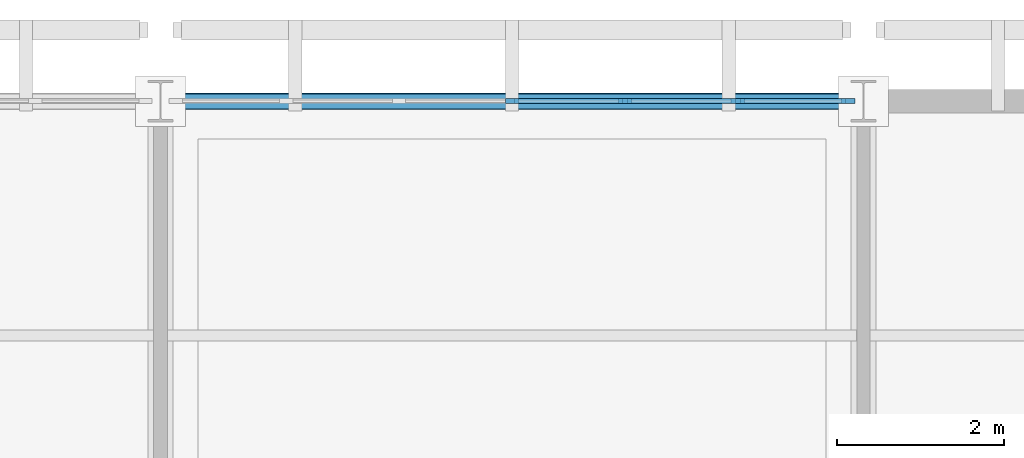
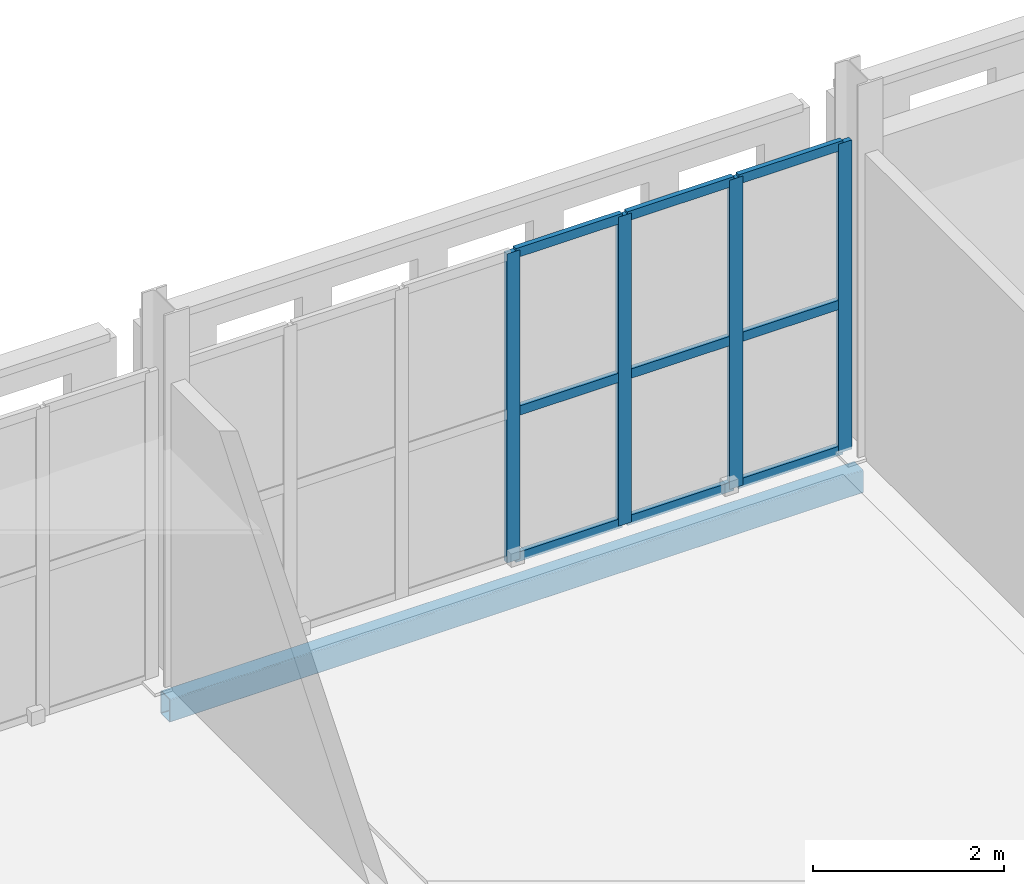
# One storey, part 61 of 203: 13 members, 1 beam, 1 element without a shape of its own.
"""IFC4 building model written with IfcOpenShell, lengths in metres."""

from ifc_helpers import new_model, si_unit, direction, frame, origin, origin_2d, place, context, subcontext, project, spatial, rectangle, hollow_rectangle, extrude, material, layer, layer_set, material_profile, profile_set, type_object, element, aggregate, save


model = new_model("IFC4")

# Units and contexts
model_context = context("Model", 3, precision=1e-05, world=origin(), true_north=direction((0.0, 1.0)))
body_context = subcontext(model_context, "Body", "Model", "MODEL_VIEW")
ifc_project = project(units=[si_unit("LENGTHUNIT", "METRE"), si_unit("AREAUNIT", "SQUARE_METRE"), si_unit("VOLUMEUNIT", "CUBIC_METRE"), si_unit("PLANEANGLEUNIT", "RADIAN"), si_unit("MASSUNIT", "GRAM", prefix="KILO")], contexts=[model_context])

# Site, building, storey
site_placement = place(None, origin())
site = spatial("IfcSite", under=ifc_project, at=site_placement, CompositionType="ELEMENT")
building_placement = place(site_placement, origin())
building = spatial("IfcBuilding", under=site, at=building_placement, Name="Varnapada Polytechnic", CompositionType="ELEMENT")
storey_placement = place(building_placement, frame((0.0, 0.0, 4.800048828125)))
storey = spatial("IfcBuildingStorey", under=building, at=storey_placement, Name="L01", CompositionType="ELEMENT", Elevation=4.800048828125)

# Curtain wall, members
ifc_material_1 = material(Name="Double low-E laminated glass", Category="glass")
ifc_layer = layer(ifc_material_1, 0.159912109375)
ifc_layer_set = layer_set([ifc_layer], Name="Double low-E laminated glass")
curtain_wall_type = type_object("IfcCurtainWallType", Name="Curtain Wall CW-02", PredefinedType="NOTDEFINED", material=ifc_layer_set)
curtain_wall_placement = place(storey_placement, origin())
curtain_wall = element("IfcCurtainWall", 1, at=curtain_wall_placement, inside=storey, type_object=curtain_wall_type, Name="L01 unitised curtain wall CW-02 (74)", PredefinedType="NOTDEFINED")
ifc_material_2 = material(Name="Anodised aluminium", Category="aluminium")
ifc_material_profile_1 = material_profile(ifc_material_2, rectangle(XDim=0.06005859375, YDim=0.159912109375, at=origin_2d()), Name="ALU M60x160")
ifc_profile_set_1 = profile_set([ifc_material_profile_1], Name="Anodised aluminium")
member_type_1 = type_object("IfcMemberType", Name="Mullion M-01", PredefinedType="MULLION", material=ifc_profile_set_1)
member_1_placement = place(storey_placement, frame((88.199951171875, 126.0, 0.0), z_axis=(0.0, 0.0, 1.0), x_axis=(0.0, 1.0, 0.0)))
member_1 = element("IfcMember", 2, at=member_1_placement, type_object=member_type_1, Name="CW-02 mullion 4", PredefinedType="MULLION", context=body_context, shape_type="SweptSolid", body=[
    extrude(rectangle(XDim=0.06005859375, YDim=0.159912109375, at=origin_2d()), origin(), (0.0, 0.0, 1.0), 3.9599609375),
])
member_2_placement = place(storey_placement, frame((89.550048828125, 126.0, 0.0), z_axis=(0.0, 0.0, 1.0), x_axis=(0.0, 1.0, 0.0)))
member_2 = element("IfcMember", 3, at=member_2_placement, type_object=member_type_1, Name="CW-02 mullion 5", PredefinedType="MULLION", context=body_context, shape_type="SweptSolid", body=[
    extrude(rectangle(XDim=0.06005859375, YDim=0.159912109375, at=origin_2d()), origin(), (0.0, 0.0, 1.0), 3.9599609375),
])
member_3_placement = place(storey_placement, frame((90.89990234375, 126.0, 0.0), z_axis=(0.0, 0.0, 1.0), x_axis=(0.0, 1.0, 0.0)))
member_3 = element("IfcMember", 4, at=member_3_placement, type_object=member_type_1, Name="CW-02 mullion 6", PredefinedType="MULLION", context=body_context, shape_type="SweptSolid", body=[
    extrude(rectangle(XDim=0.06005859375, YDim=0.159912109375, at=origin_2d()), origin(), (0.0, 0.0, 1.0), 3.9599609375),
])
member_4_placement = place(storey_placement, frame((92.219970703125, 126.0, 0.0), z_axis=(0.0, 0.0, 1.0), x_axis=(0.0, 1.0, 0.0)))
member_4 = element("IfcMember", 5, at=member_4_placement, type_object=member_type_1, Name="CW-02 mullion 7", PredefinedType="MULLION", context=body_context, shape_type="SweptSolid", body=[
    extrude(rectangle(XDim=0.06005859375, YDim=0.159912109375, at=origin_2d()), origin(), (0.0, 0.0, 1.0), 3.9599609375),
])
ifc_material_profile_2 = material_profile(ifc_material_2, rectangle(XDim=0.06005859375, YDim=0.1201171875, at=origin_2d()), Name="ALU T60x120")
ifc_profile_set_2 = profile_set([ifc_material_profile_2], Name="Anodised aluminium")
member_type_2 = type_object("IfcMemberType", Name="Transom T-01", PredefinedType="USERDEFINED", material=ifc_profile_set_2)
member_5_placement = place(storey_placement, frame((88.22998046875, 126.0, 0.030029296875), z_axis=(1.0, 0.0, 0.0), x_axis=(0.0, 1.0, 0.0)))
member_5 = element("IfcMember", 6, at=member_5_placement, type_object=member_type_2, Name="CW-02 transom 4.1", ObjectType="TRANSOM", PredefinedType="USERDEFINED", context=body_context, shape_type="SweptSolid", body=[
    extrude(rectangle(XDim=0.06005859375, YDim=0.1201171875, at=origin_2d()), origin(), (0.0, 0.0, 1.0), 1.2900390625),
])
member_6_placement = place(storey_placement, frame((88.22998046875, 126.0, 1.900634765625), z_axis=(1.0, 0.0, 0.0), x_axis=(0.0, 1.0, 0.0)))
member_6 = element("IfcMember", 7, at=member_6_placement, type_object=member_type_2, Name="CW-02 transom 4.2", ObjectType="TRANSOM", PredefinedType="USERDEFINED", context=body_context, shape_type="SweptSolid", body=[
    extrude(rectangle(XDim=0.06005859375, YDim=0.1201171875, at=origin_2d()), origin(), (0.0, 0.0, 1.0), 1.2900390625),
])
member_7_placement = place(storey_placement, frame((88.22998046875, 126.0, 3.929931640625), z_axis=(1.0, 0.0, 0.0), x_axis=(0.0, 1.0, 0.0)))
member_7 = element("IfcMember", 8, at=member_7_placement, type_object=member_type_2, Name="CW-02 transom 4.3", ObjectType="TRANSOM", PredefinedType="USERDEFINED", context=body_context, shape_type="SweptSolid", body=[
    extrude(rectangle(XDim=0.06005859375, YDim=0.1201171875, at=origin_2d()), origin(), (0.0, 0.0, 1.0), 1.2900390625),
])
member_8_placement = place(storey_placement, frame((89.580078125, 126.0, 0.030029296875), z_axis=(1.0, 0.0, 0.0), x_axis=(0.0, 1.0, 0.0)))
member_8 = element("IfcMember", 9, at=member_8_placement, type_object=member_type_2, Name="CW-02 transom 5.1", ObjectType="TRANSOM", PredefinedType="USERDEFINED", context=body_context, shape_type="SweptSolid", body=[
    extrude(rectangle(XDim=0.06005859375, YDim=0.1201171875, at=origin_2d()), origin(), (0.0, 0.0, 1.0), 1.2900390625),
])
member_9_placement = place(storey_placement, frame((89.580078125, 126.0, 1.900634765625), z_axis=(1.0, 0.0, 0.0), x_axis=(0.0, 1.0, 0.0)))
member_9 = element("IfcMember", 10, at=member_9_placement, type_object=member_type_2, Name="CW-02 transom 5.2", ObjectType="TRANSOM", PredefinedType="USERDEFINED", context=body_context, shape_type="SweptSolid", body=[
    extrude(rectangle(XDim=0.06005859375, YDim=0.1201171875, at=origin_2d()), origin(), (0.0, 0.0, 1.0), 1.2900390625),
])
member_10_placement = place(storey_placement, frame((89.580078125, 126.0, 3.929931640625), z_axis=(1.0, 0.0, 0.0), x_axis=(0.0, 1.0, 0.0)))
member_10 = element("IfcMember", 11, at=member_10_placement, type_object=member_type_2, Name="CW-02 transom 5.3", ObjectType="TRANSOM", PredefinedType="USERDEFINED", context=body_context, shape_type="SweptSolid", body=[
    extrude(rectangle(XDim=0.06005859375, YDim=0.1201171875, at=origin_2d()), origin(), (0.0, 0.0, 1.0), 1.2900390625),
])
member_11_placement = place(storey_placement, frame((90.929931640625, 126.0, 0.030029296875), z_axis=(1.0, 0.0, 0.0), x_axis=(0.0, 1.0, 0.0)))
member_11 = element("IfcMember", 12, at=member_11_placement, type_object=member_type_2, Name="CW-02 transom 6.1", ObjectType="TRANSOM", PredefinedType="USERDEFINED", context=body_context, shape_type="SweptSolid", body=[
    extrude(rectangle(XDim=0.06005859375, YDim=0.1201171875, at=origin_2d()), origin(), (0.0, 0.0, 1.0), 1.260009765625),
])
member_12_placement = place(storey_placement, frame((90.929931640625, 126.0, 1.900634765625), z_axis=(1.0, 0.0, 0.0), x_axis=(0.0, 1.0, 0.0)))
member_12 = element("IfcMember", 13, at=member_12_placement, type_object=member_type_2, Name="CW-02 transom 6.2", ObjectType="TRANSOM", PredefinedType="USERDEFINED", context=body_context, shape_type="SweptSolid", body=[
    extrude(rectangle(XDim=0.06005859375, YDim=0.1201171875, at=origin_2d()), origin(), (0.0, 0.0, 1.0), 1.260009765625),
])
member_13_placement = place(storey_placement, frame((90.929931640625, 126.0, 3.929931640625), z_axis=(1.0, 0.0, 0.0), x_axis=(0.0, 1.0, 0.0)))
member_13 = element("IfcMember", 14, at=member_13_placement, type_object=member_type_2, Name="CW-02 transom 6.3", ObjectType="TRANSOM", PredefinedType="USERDEFINED", context=body_context, shape_type="SweptSolid", body=[
    extrude(rectangle(XDim=0.06005859375, YDim=0.1201171875, at=origin_2d()), origin(), (0.0, 0.0, 1.0), 1.260009765625),
])
aggregate(curtain_wall, [member_1, member_2, member_3, member_4, member_5, member_6, member_7, member_8, member_9, member_10, member_11, member_12, member_13])

# Beam
ifc_material_3 = material(Name="Steel S355", Category="steel")
ifc_material_profile_3 = material_profile(ifc_material_3, hollow_rectangle(XDim=0.199951171875, YDim=0.300048828125, WallThickness=0.010009765625, InnerFilletRadius=0.010009765625, OuterFilletRadius=0.02001953125, at=origin_2d()), Name="RHS 300x200x10")
ifc_profile_set_3 = profile_set([ifc_material_profile_3], Name="Steel S355")
beam_type = type_object("IfcBeamType", Name="Workshop steel spandrel tie SP-03 (RHS 300x200x10)", PredefinedType="SPANDREL", material=ifc_profile_set_3)
beam_placement = place(storey_placement, frame((84.0, 126.0, -0.41015625), z_axis=(1.0, 0.0, 0.0), x_axis=(0.0, 1.0, 0.0)))
element("IfcBeam", 15, at=beam_placement, inside=storey, type_object=beam_type, Name="L01 beam X 11-12 at Y16", PredefinedType="SPANDREL", context=body_context, shape_type="SweptSolid", body=[
    extrude(hollow_rectangle(XDim=0.199951171875, YDim=0.300048828125, WallThickness=0.010009765625, InnerFilletRadius=0.010009765625, OuterFilletRadius=0.02001953125, at=origin_2d()), origin(), (0.0, 0.0, 1.0), 8.39990234375),
])

save(model, "model.ifc")
